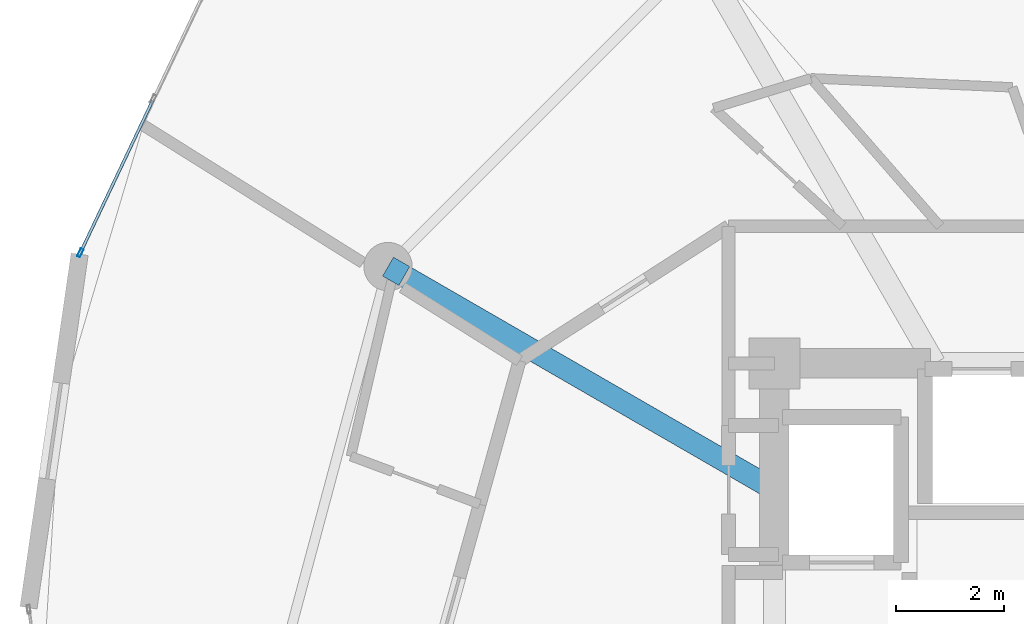
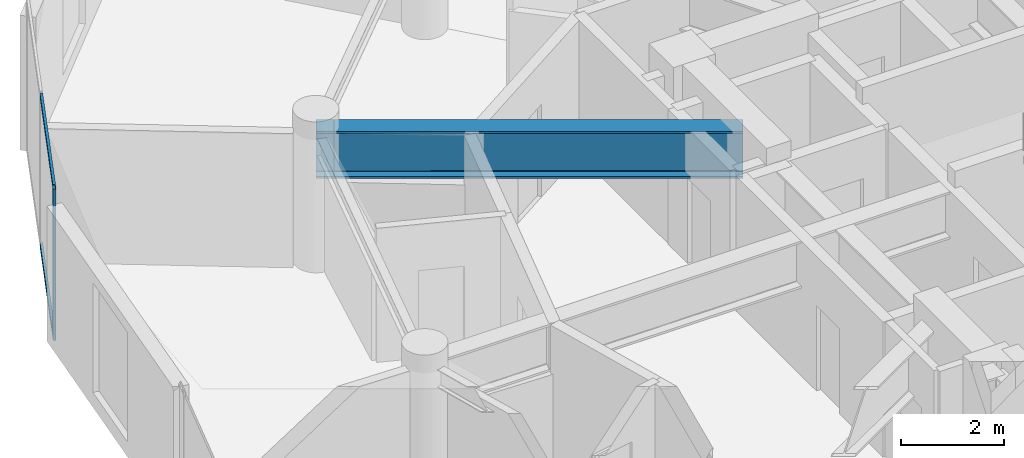
# One storey, part 8 of 22: 3 members, 2 beams, 1 element without a shape of its own.
"""IFC4 building model written with IfcOpenShell, lengths in metres."""

from ifc_helpers import new_model, si_unit, direction, frame, origin, origin_2d, place, context, subcontext, project, spatial, hollow_rectangle, i_section, extrude, source, transform, mapped, material, layer, layer_set, material_profile, profile_set, type_object, element, aggregate, save


model = new_model("IFC4")

# Units and contexts
model_context = context("Model", 3, precision=1e-05, world=origin(), true_north=direction((0.0, 1.0)))
body_context = subcontext(model_context, "Body", "Model", "MODEL_VIEW")
ifc_project = project(units=[si_unit("LENGTHUNIT", "METRE"), si_unit("AREAUNIT", "SQUARE_METRE"), si_unit("VOLUMEUNIT", "CUBIC_METRE"), si_unit("PLANEANGLEUNIT", "RADIAN"), si_unit("MASSUNIT", "GRAM", prefix="KILO")], contexts=[model_context])

# Site, building, storey
site_placement = place(None, origin())
site = spatial("IfcSite", under=ifc_project, at=site_placement, CompositionType="ELEMENT")
building_placement = place(site_placement, origin())
building = spatial("IfcBuilding", under=site, at=building_placement, Name="Solvirekh Grand Hotel", CompositionType="ELEMENT")
storey_placement = place(building_placement, frame((0.0, 0.0, 230.800048828125)))
storey = spatial("IfcBuildingStorey", under=building, at=storey_placement, Name="L60", CompositionType="ELEMENT", Elevation=230.800048828125)

# Beams
ifc_material_1 = material(Name="Steel S460", Category="steel")
ifc_material_profile_1 = material_profile(ifc_material_1, i_section(OverallWidth=0.405029296875, OverallDepth=1.117919921875, WebThickness=0.02587890625, FlangeThickness=0.048095703125, FilletRadius=0.02392578125, at=origin_2d()), Name="W1100X499")
ifc_profile_set_1 = profile_set([ifc_material_profile_1], Name="Steel S460")
beam_type = type_object("IfcBeamType", Name="TransferGirder_W1100", PredefinedType="USERDEFINED", material=ifc_profile_set_1)
beam_1_placement = place(storey_placement, frame((-6.5, 3.7509765625, 2.640869140625), z_axis=(-0.865915353139, 0.500190564883, 0.0), x_axis=(-0.500190564883, -0.865915353139, 0.0)))
element("IfcBeam", 1, at=beam_1_placement, inside=storey, type_object=beam_type, Name="L60 inner radial transfer girder 6A", ObjectType="TRANSFER GIRDER", PredefinedType="USERDEFINED", context=body_context, shape_type="SweptSolid", body=[
    extrude(i_section(OverallWidth=0.405029296875, OverallDepth=1.117919921875, WebThickness=0.02587890625, FlangeThickness=0.048095703125, FilletRadius=0.02392578125, at=origin_2d()), origin(), (0.0, 0.0, 1.0), 7.9453125),
])
beam_2_placement = place(storey_placement, frame((-13.3798828125, 7.72509765625, 2.640869140625), z_axis=(-0.866348119543, 0.499440622861, 0.0), x_axis=(-0.499440622861, -0.866348119543, 0.0)))
element("IfcBeam", 2, at=beam_2_placement, inside=storey, type_object=beam_type, Name="L60 outer radial transfer girder 6B", ObjectType="TRANSFER GIRDER", PredefinedType="USERDEFINED", context=body_context, shape_type="SweptSolid", body=[
    extrude(i_section(OverallWidth=0.405029296875, OverallDepth=1.117919921875, WebThickness=0.02587890625, FlangeThickness=0.048095703125, FilletRadius=0.02392578125, at=origin_2d()), origin(), (0.0, 0.0, 1.0), 0.35009765625),
])

# Curtain wall, members
ifc_material_2 = material(Name="Anodized Bronze Aluminium 6063-T6", Category="aluminium")
ifc_layer = layer(ifc_material_2, 0.159912109375)
ifc_layer_set = layer_set([ifc_layer], Name="Anodized Bronze Aluminium 6063-T6")
curtain_wall_type = type_object("IfcCurtainWallType", Name="CW_Sys4_HighZoneFlushBronzeCW", PredefinedType="NOTDEFINED", material=ifc_layer_set)
curtain_wall_placement = place(storey_placement, origin())
curtain_wall = element("IfcCurtainWall", 3, at=curtain_wall_placement, inside=storey, type_object=curtain_wall_type, Name="L60 unitised bronze-glass curtain wall CW-L60-C13", PredefinedType="NOTDEFINED")
ifc_material_profile_2 = material_profile(ifc_material_2, hollow_rectangle(XDim=0.054931640625, YDim=0.1201171875, WallThickness=0.00390625, at=origin_2d()), Name="ALU RHS 120X55X4")
ifc_profile_set_2 = profile_set([ifc_material_profile_2], Name="Anodized Bronze Aluminium 6063-T6")
member_type_1 = type_object("IfcMemberType", Name="CWTransom_Sys4", PredefinedType="USERDEFINED", material=ifc_profile_set_2)
shared_shape_1 = source(origin(), body_context, "Body", "SweptSolid", [
    extrude(hollow_rectangle(XDim=0.054931640625, YDim=0.1201171875, WallThickness=0.00390625, at=origin_2d()), origin(), (0.0, 0.0, 1.0), 3.1044921875),
])
member_1_placement = place(storey_placement, frame((-18.059326171875, 10.98779296875, 0.02734375), z_axis=(-0.428748803823, -0.903423745106, 0.0), x_axis=(0.903423745106, -0.428748803823, 0.0)))
member_1 = element("IfcMember", 4, at=member_1_placement, type_object=member_type_1, Name="U04 transom 2.1", ObjectType="TRANSOM", PredefinedType="USERDEFINED", context=body_context, shape_type="MappedRepresentation", body=[
    mapped(shared_shape_1, transform((0.0, 0.0, 0.0), x_axis=(1.0, 0.0, 0.0), y_axis=(0.0, 1.0, 0.0), z_axis=(0.0, 0.0, 1.0), scale=1.0)),
])
member_2_placement = place(storey_placement, frame((-18.059326171875, 10.98779296875, 3.572509765625), z_axis=(-0.428748803823, -0.903423745106, 0.0), x_axis=(0.903423745106, -0.428748803823, 0.0)))
member_2 = element("IfcMember", 5, at=member_2_placement, type_object=member_type_1, Name="U04 transom 2.2", ObjectType="TRANSOM", PredefinedType="USERDEFINED", context=body_context, shape_type="MappedRepresentation", body=[
    mapped(shared_shape_1, transform((0.0, 0.0, 0.0), x_axis=(1.0, 0.0, 0.0), y_axis=(0.0, 1.0, 0.0), z_axis=(0.0, 0.0, 1.0), scale=1.0)),
])
ifc_material_profile_3 = material_profile(ifc_material_2, hollow_rectangle(XDim=0.06005859375, YDim=0.159912109375, WallThickness=0.0048828125, at=origin_2d()), Name="ALU RHS 160X60X5")
ifc_profile_set_3 = profile_set([ifc_material_profile_3], Name="Anodized Bronze Aluminium 6063-T6")
member_type_2 = type_object("IfcMemberType", Name="CWMullion_Sys4", PredefinedType="MULLION", material=ifc_profile_set_3)
shared_shape_2 = source(origin(), body_context, "Body", "SweptSolid", [
    extrude(hollow_rectangle(XDim=0.06005859375, YDim=0.159912109375, WallThickness=0.0048828125, at=origin_2d()), origin(), (0.0, 0.0, 1.0), 3.599853515625),
])
member_3_placement = place(storey_placement, frame((-19.403076171875, 8.156005859375, 0.0), z_axis=(0.0, 0.0, 1.0), x_axis=(0.90344122325, -0.428711973396, 0.0)))
member_3 = element("IfcMember", 6, at=member_3_placement, type_object=member_type_2, Name="U04 mullion 3", PredefinedType="MULLION", context=body_context, shape_type="MappedRepresentation", body=[
    mapped(shared_shape_2, transform((0.0, 0.0, 0.0), x_axis=(1.0, 0.0, 0.0), y_axis=(0.0, 1.0, 0.0), z_axis=(0.0, 0.0, 1.0), scale=1.0)),
])
aggregate(curtain_wall, [member_3, member_1, member_2])

save(model, "model.ifc")
